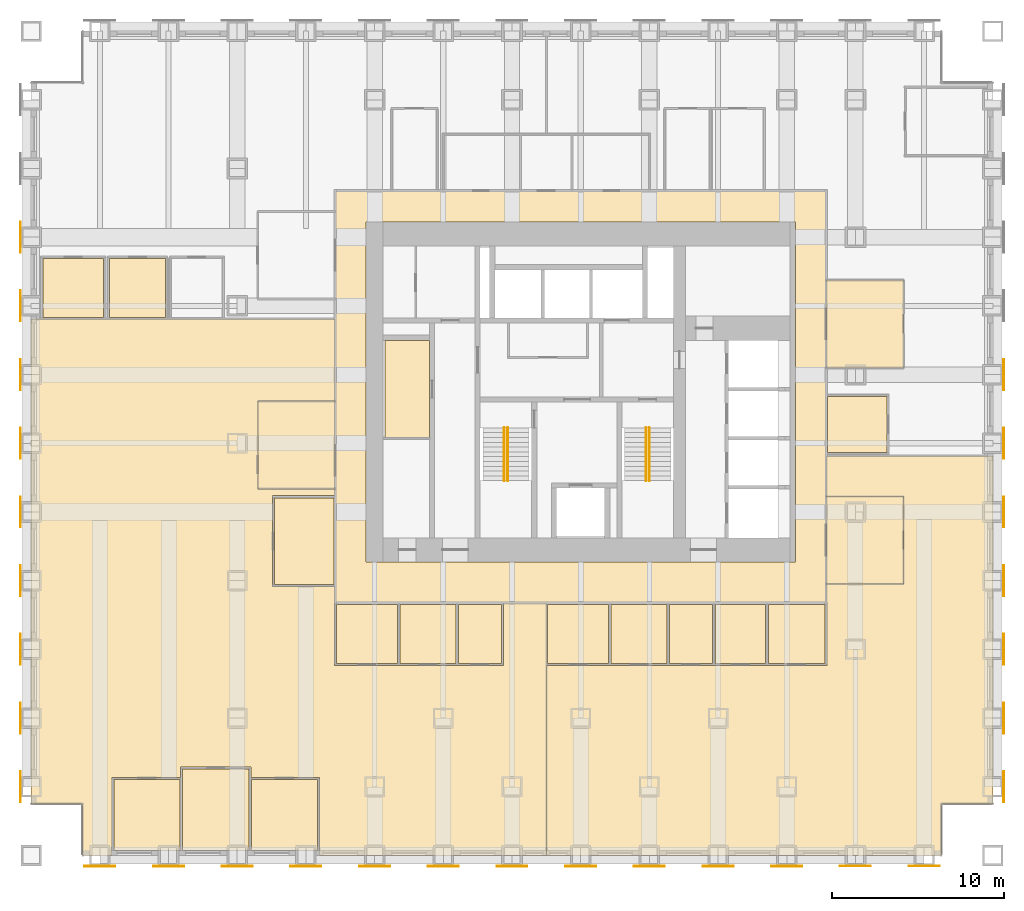
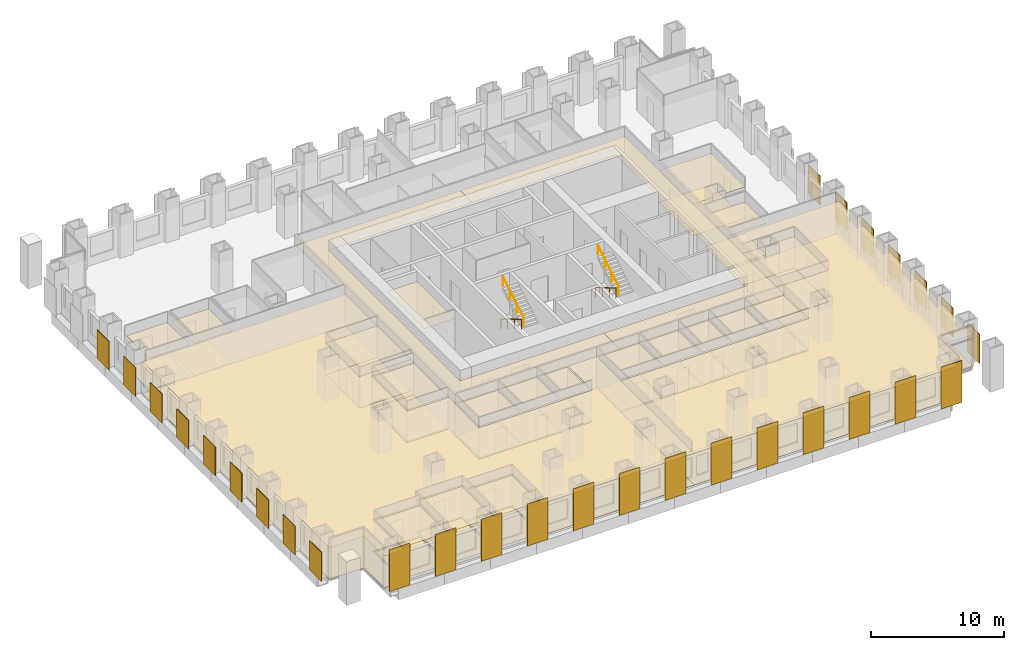
# One storey, part 14 of 15: 43 coverings, 29 shading devices, 4 railings.
"""IFC4 building model written with IfcOpenShell, lengths in metres."""

from ifc_helpers import new_model, si_unit, direction, frame, origin, origin_2d, place, context, subcontext, project, spatial, polyline, rectangle, circle, outline, extrude, material, layer, layer_set, type_object, element, save


model = new_model("IFC4")

# Units and contexts
model_context = context("Model", 3, precision=1e-05, world=origin(), true_north=direction((0.0, 1.0)))
body_context = subcontext(model_context, "Body", "Model", "MODEL_VIEW")
ifc_project = project(units=[si_unit("LENGTHUNIT", "METRE"), si_unit("AREAUNIT", "SQUARE_METRE"), si_unit("VOLUMEUNIT", "CUBIC_METRE"), si_unit("PLANEANGLEUNIT", "RADIAN"), si_unit("MASSUNIT", "GRAM", prefix="KILO")], contexts=[model_context])

# Site, building, storey
site_placement = place(None, origin())
site = spatial("IfcSite", under=ifc_project, at=site_placement, CompositionType="ELEMENT")
building_placement = place(site_placement, origin())
building = spatial("IfcBuilding", under=site, at=building_placement, Name="Rimbunsela Tower", CompositionType="ELEMENT")
storey_placement = place(building_placement, frame((0.0, 0.0, 67.0)))
storey = spatial("IfcBuildingStorey", under=building, at=storey_placement, Name="L16", CompositionType="ELEMENT", Elevation=67.0)

# Coverings
ifc_material_1 = material(Name="Nylon carpet tile", Category="textile")
ifc_layer_1 = layer(ifc_material_1, 0.010009765625)
ifc_layer_set_1 = layer_set([ifc_layer_1], Name="Carpet tile 10")
covering_type_1 = type_object("IfcCoveringType", Name="Carpet tile 10", PredefinedType="FLOORING", material=ifc_layer_set_1)
covering_1_placement = place(storey_placement, origin())
element("IfcCovering", 1, at=covering_1_placement, inside=storey, type_object=covering_type_1, Name="Floor finish Open office", PredefinedType="FLOORING", context=body_context, shape_type="SweptSolid", body=[
    extrude(outline(polyline([(19.449951171875, 11.050048828125), (22.75, 11.050048828125), (22.85009765625, 11.050048828125), (25.5, 11.050048828125), (25.5, 14.699951171875), (27.9990234375, 14.699951171875), (27.9990234375, 0.0), (15.699951171875, 0.0), (14.800048828125, 0.0), (14.800048828125, 4.550048828125), (10.800048828125, 4.550048828125), (10.800048828125, 5.14990234375), (6.699951171875, 5.14990234375), (6.699951171875, 4.550048828125), (2.699951171875, 4.550048828125), (2.699951171875, 0.0), (1.0, 0.0), (1.0, 3.0), (-2.0, 3.0), (-2.0, 31.2490234375), (15.699951171875, 31.2490234375), (15.699951171875, 26.449951171875), (11.199951171875, 26.449951171875), (11.199951171875, 21.35009765625), (15.699951171875, 21.35009765625), (15.699951171875, 20.949951171875), (12.050048828125, 20.949951171875), (12.050048828125, 15.64990234375), (15.699951171875, 15.64990234375), (15.699951171875, 14.75), (15.64990234375, 14.75), (15.64990234375, 11.050048828125), (15.699951171875, 11.050048828125), (19.35009765625, 11.050048828125), (19.449951171875, 11.050048828125)])), origin(), (0.0, 0.0, 1.0), 0.010009765625),
])
covering_2_placement = place(storey_placement, origin())
element("IfcCovering", 2, at=covering_2_placement, inside=storey, type_object=covering_type_1, Name="Floor finish Open office", PredefinedType="FLOORING", context=body_context, shape_type="SweptSolid", body=[
    extrude(outline(polyline([(28.0009765625, 11.050048828125), (31.65087890625, 11.050048828125), (31.7509765625, 11.050048828125), (35.051025390625, 11.050048828125), (35.15087890625, 11.050048828125), (37.700927734375, 11.050048828125), (37.801025390625, 11.050048828125), (40.801025390625, 11.050048828125), (40.90087890625, 11.050048828125), (44.300048828125, 11.050048828125), (44.35009765625, 11.050048828125), (44.35009765625, 14.75), (44.300048828125, 14.75), (44.300048828125, 15.800048828125), (48.800048828125, 15.800048828125), (48.800048828125, 20.89990234375), (44.300048828125, 20.89990234375), (44.300048828125, 23.2490234375), (54.0, 23.2490234375), (54.0, 3.0), (51.0, 3.0), (51.0, 0.0), (44.300048828125, 0.0), (28.0009765625, 0.0), (28.0009765625, 11.050048828125)])), origin(), (0.0, 0.0, 1.0), 0.010009765625),
])
covering_3_placement = place(storey_placement, origin())
element("IfcCovering", 3, at=covering_3_placement, inside=storey, type_object=covering_type_1, Name="Floor finish Reception", PredefinedType="FLOORING", context=body_context, shape_type="SweptSolid", body=[
    extrude(outline(polyline([(15.699951171875, 21.35009765625), (15.699951171875, 26.449951171875), (11.199951171875, 26.449951171875), (11.199951171875, 21.35009765625), (15.699951171875, 21.35009765625)])), origin(), (0.0, 0.0, 1.0), 0.010009765625),
])
covering_4_placement = place(storey_placement, origin())
element("IfcCovering", 4, at=covering_4_placement, inside=storey, type_object=covering_type_1, Name="Floor finish Reception", PredefinedType="FLOORING", context=body_context, shape_type="SweptSolid", body=[
    extrude(outline(polyline([(48.800048828125, 15.800048828125), (48.800048828125, 20.89990234375), (44.300048828125, 20.89990234375), (44.300048828125, 15.800048828125), (48.800048828125, 15.800048828125)])), origin(), (0.0, 0.0, 1.0), 0.010009765625),
])
covering_5_placement = place(storey_placement, origin())
element("IfcCovering", 5, at=covering_5_placement, inside=storey, type_object=covering_type_1, Name="Floor finish Reception", PredefinedType="FLOORING", context=body_context, shape_type="SweptSolid", body=[
    extrude(outline(polyline([(48.800048828125, 28.39990234375), (48.800048828125, 33.5), (44.300048828125, 33.5), (44.300048828125, 28.39990234375), (48.800048828125, 28.39990234375)])), origin(), (0.0, 0.0, 1.0), 0.010009765625),
])
covering_6_placement = place(storey_placement, origin())
element("IfcCovering", 6, at=covering_6_placement, inside=storey, type_object=covering_type_1, Name="Floor finish Executive office", PredefinedType="FLOORING", context=body_context, shape_type="SweptSolid", body=[
    extrude(outline(polyline([(6.675048828125, 0.300048828125), (6.675048828125, 4.425048828125), (2.824951171875, 4.425048828125), (2.824951171875, 0.300048828125), (6.675048828125, 0.300048828125)])), origin(), (0.0, 0.0, 1.0), 0.010009765625),
])
covering_7_placement = place(storey_placement, origin())
element("IfcCovering", 7, at=covering_7_placement, inside=storey, type_object=covering_type_1, Name="Floor finish Meeting room", PredefinedType="FLOORING", context=body_context, shape_type="SweptSolid", body=[
    extrude(outline(polyline([(10.675048828125, 0.300048828125), (10.675048828125, 5.02490234375), (6.824951171875, 5.02490234375), (6.824951171875, 0.300048828125), (10.675048828125, 0.300048828125)])), origin(), (0.0, 0.0, 1.0), 0.010009765625),
])
covering_8_placement = place(storey_placement, origin())
element("IfcCovering", 8, at=covering_8_placement, inside=storey, type_object=covering_type_1, Name="Floor finish Executive office", PredefinedType="FLOORING", context=body_context, shape_type="SweptSolid", body=[
    extrude(outline(polyline([(14.675048828125, 0.300048828125), (14.675048828125, 4.425048828125), (10.824951171875, 4.425048828125), (10.824951171875, 0.300048828125), (14.675048828125, 0.300048828125)])), origin(), (0.0, 0.0, 1.0), 0.010009765625),
])
covering_9_placement = place(storey_placement, origin())
element("IfcCovering", 9, at=covering_9_placement, inside=storey, type_object=covering_type_1, Name="Floor finish Meeting room", PredefinedType="FLOORING", context=body_context, shape_type="SweptSolid", body=[
    extrude(outline(polyline([(19.324951171875, 11.175048828125), (19.324951171875, 14.625), (15.77490234375, 14.625), (15.77490234375, 11.175048828125), (19.324951171875, 11.175048828125)])), origin(), (0.0, 0.0, 1.0), 0.010009765625),
])
covering_10_placement = place(storey_placement, origin())
element("IfcCovering", 10, at=covering_10_placement, inside=storey, type_object=covering_type_1, Name="Floor finish Pantry", PredefinedType="FLOORING", context=body_context, shape_type="SweptSolid", body=[
    extrude(outline(polyline([(22.72509765625, 11.175048828125), (22.72509765625, 14.625), (19.47509765625, 14.625), (19.47509765625, 11.175048828125), (22.72509765625, 11.175048828125)])), origin(), (0.0, 0.0, 1.0), 0.010009765625),
])
covering_11_placement = place(storey_placement, origin())
element("IfcCovering", 11, at=covering_11_placement, inside=storey, type_object=covering_type_1, Name="Floor finish Print and copy room", PredefinedType="FLOORING", context=body_context, shape_type="SweptSolid", body=[
    extrude(outline(polyline([(25.375, 11.175048828125), (25.375, 14.625), (22.875, 14.625), (22.875, 11.175048828125), (25.375, 11.175048828125)])), origin(), (0.0, 0.0, 1.0), 0.010009765625),
])
covering_12_placement = place(storey_placement, origin())
element("IfcCovering", 12, at=covering_12_placement, inside=storey, type_object=covering_type_1, Name="Floor finish Office", PredefinedType="FLOORING", context=body_context, shape_type="SweptSolid", body=[
    extrude(outline(polyline([(15.625, 15.77490234375), (15.625, 20.824951171875), (12.175048828125, 20.824951171875), (12.175048828125, 15.77490234375), (15.625, 15.77490234375)])), origin(), (0.0, 0.0, 1.0), 0.010009765625),
])
covering_13_placement = place(storey_placement, origin())
element("IfcCovering", 13, at=covering_13_placement, inside=storey, type_object=covering_type_1, Name="Floor finish Meeting room", PredefinedType="FLOORING", context=body_context, shape_type="SweptSolid", body=[
    extrude(outline(polyline([(31.6259765625, 11.175048828125), (31.6259765625, 14.625), (28.075927734375, 14.625), (28.075927734375, 11.175048828125), (31.6259765625, 11.175048828125)])), origin(), (0.0, 0.0, 1.0), 0.010009765625),
])
covering_14_placement = place(storey_placement, origin())
element("IfcCovering", 14, at=covering_14_placement, inside=storey, type_object=covering_type_1, Name="Floor finish Pantry", PredefinedType="FLOORING", context=body_context, shape_type="SweptSolid", body=[
    extrude(outline(polyline([(35.02587890625, 11.175048828125), (35.02587890625, 14.625), (31.77587890625, 14.625), (31.77587890625, 11.175048828125), (35.02587890625, 11.175048828125)])), origin(), (0.0, 0.0, 1.0), 0.010009765625),
])
covering_15_placement = place(storey_placement, origin())
element("IfcCovering", 15, at=covering_15_placement, inside=storey, type_object=covering_type_1, Name="Floor finish Print and copy room", PredefinedType="FLOORING", context=body_context, shape_type="SweptSolid", body=[
    extrude(outline(polyline([(37.676025390625, 11.175048828125), (37.676025390625, 14.625), (35.176025390625, 14.625), (35.176025390625, 11.175048828125), (37.676025390625, 11.175048828125)])), origin(), (0.0, 0.0, 1.0), 0.010009765625),
])
covering_16_placement = place(storey_placement, origin())
element("IfcCovering", 16, at=covering_16_placement, inside=storey, type_object=covering_type_1, Name="Floor finish Office", PredefinedType="FLOORING", context=body_context, shape_type="SweptSolid", body=[
    extrude(outline(polyline([(40.77587890625, 11.175048828125), (40.77587890625, 14.625), (37.825927734375, 14.625), (37.825927734375, 11.175048828125), (40.77587890625, 11.175048828125)])), origin(), (0.0, 0.0, 1.0), 0.010009765625),
])
covering_17_placement = place(storey_placement, origin())
element("IfcCovering", 17, at=covering_17_placement, inside=storey, type_object=covering_type_1, Name="Floor finish Focus room", PredefinedType="FLOORING", context=body_context, shape_type="SweptSolid", body=[
    extrude(outline(polyline([(44.22509765625, 11.175048828125), (44.22509765625, 14.625), (40.926025390625, 14.625), (40.926025390625, 11.175048828125), (44.22509765625, 11.175048828125)])), origin(), (0.0, 0.0, 1.0), 0.010009765625),
])
covering_18_placement = place(storey_placement, origin())
element("IfcCovering", 18, at=covering_18_placement, inside=storey, type_object=covering_type_1, Name="Floor finish Meeting room", PredefinedType="FLOORING", context=body_context, shape_type="SweptSolid", body=[
    extrude(outline(polyline([(2.22509765625, 31.324951171875), (2.22509765625, 34.77490234375), (-1.324951171875, 34.77490234375), (-1.324951171875, 31.324951171875), (2.22509765625, 31.324951171875)])), origin(), (0.0, 0.0, 1.0), 0.010009765625),
])
covering_19_placement = place(storey_placement, origin())
element("IfcCovering", 19, at=covering_19_placement, inside=storey, type_object=covering_type_1, Name="Floor finish Pantry", PredefinedType="FLOORING", context=body_context, shape_type="SweptSolid", body=[
    extrude(outline(polyline([(5.824951171875, 31.324951171875), (5.824951171875, 34.77490234375), (2.574951171875, 34.77490234375), (2.574951171875, 31.324951171875), (5.824951171875, 31.324951171875)])), origin(), (0.0, 0.0, 1.0), 0.010009765625),
])
covering_20_placement = place(storey_placement, origin())
element("IfcCovering", 20, at=covering_20_placement, inside=storey, type_object=covering_type_1, Name="Floor finish Pantry", PredefinedType="FLOORING", context=body_context, shape_type="SweptSolid", body=[
    extrude(outline(polyline([(47.824951171875, 23.47509765625), (47.824951171875, 26.72509765625), (44.375, 26.72509765625), (44.375, 23.47509765625), (47.824951171875, 23.47509765625)])), origin(), (0.0, 0.0, 1.0), 0.010009765625),
])
ifc_material_2 = material(Name="Mineral fibre ceiling tile", Category="gypsum")
ifc_layer_2 = layer(ifc_material_2, 0.02001953125)
ifc_layer_set_2 = layer_set([ifc_layer_2], Name="Ceiling 600 grid")
covering_type_2 = type_object("IfcCoveringType", Name="Ceiling 600 grid", PredefinedType="CEILING", material=ifc_layer_set_2)
covering_21_placement = place(storey_placement, frame((0.0, 0.0, 2.89990234375)))
element("IfcCovering", 21, at=covering_21_placement, inside=storey, type_object=covering_type_2, Name="Ceiling IT room", PredefinedType="CEILING", context=body_context, shape_type="SweptSolid", body=[
    extrude(outline(polyline([(21.199951171875, 24.35009765625), (21.199951171875, 30.0), (18.60009765625, 30.0), (18.60009765625, 24.35009765625), (21.199951171875, 24.35009765625)])), origin(), (0.0, 0.0, 1.0), 0.02001953125),
])
covering_22_placement = place(storey_placement, frame((0.0, 0.0, 2.89990234375)))
element("IfcCovering", 22, at=covering_22_placement, inside=storey, type_object=covering_type_2, Name="Ceiling Ring corridor", PredefinedType="CEILING", context=body_context, shape_type="SweptSolid", body=[
    extrude(outline(polyline([(15.699951171875, 38.699951171875), (30.0, 38.699951171875), (30.0, 36.89990234375), (17.5, 36.89990234375), (17.5, 17.10009765625), (30.0, 17.10009765625), (30.0, 14.699951171875), (15.699951171875, 14.699951171875), (15.699951171875, 38.699951171875)])), origin(), (0.0, 0.0, 1.0), 0.02001953125),
])
covering_23_placement = place(storey_placement, frame((0.0, 0.0, 2.89990234375)))
element("IfcCovering", 23, at=covering_23_placement, inside=storey, type_object=covering_type_2, Name="Ceiling Ring corridor", PredefinedType="CEILING", context=body_context, shape_type="SweptSolid", body=[
    extrude(outline(polyline([(44.300048828125, 38.699951171875), (44.300048828125, 14.699951171875), (30.0, 14.699951171875), (30.0, 17.10009765625), (42.5, 17.10009765625), (42.5, 36.89990234375), (30.0, 36.89990234375), (30.0, 38.699951171875), (44.300048828125, 38.699951171875)])), origin(), (0.0, 0.0, 1.0), 0.02001953125),
])
covering_24_placement = place(storey_placement, frame((0.0, 0.0, 2.89990234375)))
element("IfcCovering", 24, at=covering_24_placement, inside=storey, type_object=covering_type_2, Name="Ceiling Open office", PredefinedType="CEILING", context=body_context, shape_type="SweptSolid", body=[
    extrude(outline(polyline([(19.449951171875, 11.050048828125), (22.75, 11.050048828125), (22.85009765625, 11.050048828125), (25.5, 11.050048828125), (25.5, 14.699951171875), (27.9990234375, 14.699951171875), (27.9990234375, 0.0), (15.699951171875, 0.0), (14.800048828125, 0.0), (14.800048828125, 4.550048828125), (10.800048828125, 4.550048828125), (10.800048828125, 5.14990234375), (6.699951171875, 5.14990234375), (6.699951171875, 4.550048828125), (2.699951171875, 4.550048828125), (2.699951171875, 0.0), (1.0, 0.0), (1.0, 3.0), (-2.0, 3.0), (-2.0, 31.2490234375), (15.699951171875, 31.2490234375), (15.699951171875, 26.449951171875), (11.199951171875, 26.449951171875), (11.199951171875, 21.35009765625), (15.699951171875, 21.35009765625), (15.699951171875, 20.949951171875), (12.050048828125, 20.949951171875), (12.050048828125, 15.64990234375), (15.699951171875, 15.64990234375), (15.699951171875, 14.75), (15.64990234375, 14.75), (15.64990234375, 11.050048828125), (15.699951171875, 11.050048828125), (19.35009765625, 11.050048828125), (19.449951171875, 11.050048828125)])), origin(), (0.0, 0.0, 1.0), 0.02001953125),
])
covering_25_placement = place(storey_placement, frame((0.0, 0.0, 2.89990234375)))
element("IfcCovering", 25, at=covering_25_placement, inside=storey, type_object=covering_type_2, Name="Ceiling Open office", PredefinedType="CEILING", context=body_context, shape_type="SweptSolid", body=[
    extrude(outline(polyline([(28.0009765625, 11.050048828125), (31.65087890625, 11.050048828125), (31.7509765625, 11.050048828125), (35.051025390625, 11.050048828125), (35.15087890625, 11.050048828125), (37.700927734375, 11.050048828125), (37.801025390625, 11.050048828125), (40.801025390625, 11.050048828125), (40.90087890625, 11.050048828125), (44.300048828125, 11.050048828125), (44.35009765625, 11.050048828125), (44.35009765625, 14.75), (44.300048828125, 14.75), (44.300048828125, 15.800048828125), (48.800048828125, 15.800048828125), (48.800048828125, 20.89990234375), (44.300048828125, 20.89990234375), (44.300048828125, 23.2490234375), (54.0, 23.2490234375), (54.0, 3.0), (51.0, 3.0), (51.0, 0.0), (44.300048828125, 0.0), (28.0009765625, 0.0), (28.0009765625, 11.050048828125)])), origin(), (0.0, 0.0, 1.0), 0.02001953125),
])
covering_26_placement = place(storey_placement, frame((0.0, 0.0, 2.89990234375)))
element("IfcCovering", 26, at=covering_26_placement, inside=storey, type_object=covering_type_2, Name="Ceiling Reception", PredefinedType="CEILING", context=body_context, shape_type="SweptSolid", body=[
    extrude(outline(polyline([(15.699951171875, 21.35009765625), (15.699951171875, 26.449951171875), (11.199951171875, 26.449951171875), (11.199951171875, 21.35009765625), (15.699951171875, 21.35009765625)])), origin(), (0.0, 0.0, 1.0), 0.02001953125),
])
covering_27_placement = place(storey_placement, frame((0.0, 0.0, 2.89990234375)))
element("IfcCovering", 27, at=covering_27_placement, inside=storey, type_object=covering_type_2, Name="Ceiling Reception", PredefinedType="CEILING", context=body_context, shape_type="SweptSolid", body=[
    extrude(outline(polyline([(48.800048828125, 15.800048828125), (48.800048828125, 20.89990234375), (44.300048828125, 20.89990234375), (44.300048828125, 15.800048828125), (48.800048828125, 15.800048828125)])), origin(), (0.0, 0.0, 1.0), 0.02001953125),
])
covering_28_placement = place(storey_placement, frame((0.0, 0.0, 2.89990234375)))
element("IfcCovering", 28, at=covering_28_placement, inside=storey, type_object=covering_type_2, Name="Ceiling Reception", PredefinedType="CEILING", context=body_context, shape_type="SweptSolid", body=[
    extrude(outline(polyline([(48.800048828125, 28.39990234375), (48.800048828125, 33.5), (44.300048828125, 33.5), (44.300048828125, 28.39990234375), (48.800048828125, 28.39990234375)])), origin(), (0.0, 0.0, 1.0), 0.02001953125),
])
covering_29_placement = place(storey_placement, frame((0.0, 0.0, 2.89990234375)))
element("IfcCovering", 29, at=covering_29_placement, inside=storey, type_object=covering_type_2, Name="Ceiling Executive office", PredefinedType="CEILING", context=body_context, shape_type="SweptSolid", body=[
    extrude(outline(polyline([(6.675048828125, 0.300048828125), (6.675048828125, 4.425048828125), (2.824951171875, 4.425048828125), (2.824951171875, 0.300048828125), (6.675048828125, 0.300048828125)])), origin(), (0.0, 0.0, 1.0), 0.02001953125),
])
covering_30_placement = place(storey_placement, frame((0.0, 0.0, 2.89990234375)))
element("IfcCovering", 30, at=covering_30_placement, inside=storey, type_object=covering_type_2, Name="Ceiling Meeting room", PredefinedType="CEILING", context=body_context, shape_type="SweptSolid", body=[
    extrude(outline(polyline([(10.675048828125, 0.300048828125), (10.675048828125, 5.02490234375), (6.824951171875, 5.02490234375), (6.824951171875, 0.300048828125), (10.675048828125, 0.300048828125)])), origin(), (0.0, 0.0, 1.0), 0.02001953125),
])
covering_31_placement = place(storey_placement, frame((0.0, 0.0, 2.89990234375)))
element("IfcCovering", 31, at=covering_31_placement, inside=storey, type_object=covering_type_2, Name="Ceiling Executive office", PredefinedType="CEILING", context=body_context, shape_type="SweptSolid", body=[
    extrude(outline(polyline([(14.675048828125, 0.300048828125), (14.675048828125, 4.425048828125), (10.824951171875, 4.425048828125), (10.824951171875, 0.300048828125), (14.675048828125, 0.300048828125)])), origin(), (0.0, 0.0, 1.0), 0.02001953125),
])
covering_32_placement = place(storey_placement, frame((0.0, 0.0, 2.89990234375)))
element("IfcCovering", 32, at=covering_32_placement, inside=storey, type_object=covering_type_2, Name="Ceiling Meeting room", PredefinedType="CEILING", context=body_context, shape_type="SweptSolid", body=[
    extrude(outline(polyline([(19.324951171875, 11.175048828125), (19.324951171875, 14.625), (15.77490234375, 14.625), (15.77490234375, 11.175048828125), (19.324951171875, 11.175048828125)])), origin(), (0.0, 0.0, 1.0), 0.02001953125),
])
covering_33_placement = place(storey_placement, frame((0.0, 0.0, 2.89990234375)))
element("IfcCovering", 33, at=covering_33_placement, inside=storey, type_object=covering_type_2, Name="Ceiling Pantry", PredefinedType="CEILING", context=body_context, shape_type="SweptSolid", body=[
    extrude(outline(polyline([(22.72509765625, 11.175048828125), (22.72509765625, 14.625), (19.47509765625, 14.625), (19.47509765625, 11.175048828125), (22.72509765625, 11.175048828125)])), origin(), (0.0, 0.0, 1.0), 0.02001953125),
])
covering_34_placement = place(storey_placement, frame((0.0, 0.0, 2.89990234375)))
element("IfcCovering", 34, at=covering_34_placement, inside=storey, type_object=covering_type_2, Name="Ceiling Print and copy room", PredefinedType="CEILING", context=body_context, shape_type="SweptSolid", body=[
    extrude(outline(polyline([(25.375, 11.175048828125), (25.375, 14.625), (22.875, 14.625), (22.875, 11.175048828125), (25.375, 11.175048828125)])), origin(), (0.0, 0.0, 1.0), 0.02001953125),
])
covering_35_placement = place(storey_placement, frame((0.0, 0.0, 2.89990234375)))
element("IfcCovering", 35, at=covering_35_placement, inside=storey, type_object=covering_type_2, Name="Ceiling Office", PredefinedType="CEILING", context=body_context, shape_type="SweptSolid", body=[
    extrude(outline(polyline([(15.625, 15.77490234375), (15.625, 20.824951171875), (12.175048828125, 20.824951171875), (12.175048828125, 15.77490234375), (15.625, 15.77490234375)])), origin(), (0.0, 0.0, 1.0), 0.02001953125),
])
covering_36_placement = place(storey_placement, frame((0.0, 0.0, 2.89990234375)))
element("IfcCovering", 36, at=covering_36_placement, inside=storey, type_object=covering_type_2, Name="Ceiling Meeting room", PredefinedType="CEILING", context=body_context, shape_type="SweptSolid", body=[
    extrude(outline(polyline([(31.6259765625, 11.175048828125), (31.6259765625, 14.625), (28.075927734375, 14.625), (28.075927734375, 11.175048828125), (31.6259765625, 11.175048828125)])), origin(), (0.0, 0.0, 1.0), 0.02001953125),
])
covering_37_placement = place(storey_placement, frame((0.0, 0.0, 2.89990234375)))
element("IfcCovering", 37, at=covering_37_placement, inside=storey, type_object=covering_type_2, Name="Ceiling Pantry", PredefinedType="CEILING", context=body_context, shape_type="SweptSolid", body=[
    extrude(outline(polyline([(35.02587890625, 11.175048828125), (35.02587890625, 14.625), (31.77587890625, 14.625), (31.77587890625, 11.175048828125), (35.02587890625, 11.175048828125)])), origin(), (0.0, 0.0, 1.0), 0.02001953125),
])
covering_38_placement = place(storey_placement, frame((0.0, 0.0, 2.89990234375)))
element("IfcCovering", 38, at=covering_38_placement, inside=storey, type_object=covering_type_2, Name="Ceiling Print and copy room", PredefinedType="CEILING", context=body_context, shape_type="SweptSolid", body=[
    extrude(outline(polyline([(37.676025390625, 11.175048828125), (37.676025390625, 14.625), (35.176025390625, 14.625), (35.176025390625, 11.175048828125), (37.676025390625, 11.175048828125)])), origin(), (0.0, 0.0, 1.0), 0.02001953125),
])
covering_39_placement = place(storey_placement, frame((0.0, 0.0, 2.89990234375)))
element("IfcCovering", 39, at=covering_39_placement, inside=storey, type_object=covering_type_2, Name="Ceiling Office", PredefinedType="CEILING", context=body_context, shape_type="SweptSolid", body=[
    extrude(outline(polyline([(40.77587890625, 11.175048828125), (40.77587890625, 14.625), (37.825927734375, 14.625), (37.825927734375, 11.175048828125), (40.77587890625, 11.175048828125)])), origin(), (0.0, 0.0, 1.0), 0.02001953125),
])
covering_40_placement = place(storey_placement, frame((0.0, 0.0, 2.89990234375)))
element("IfcCovering", 40, at=covering_40_placement, inside=storey, type_object=covering_type_2, Name="Ceiling Focus room", PredefinedType="CEILING", context=body_context, shape_type="SweptSolid", body=[
    extrude(outline(polyline([(44.22509765625, 11.175048828125), (44.22509765625, 14.625), (40.926025390625, 14.625), (40.926025390625, 11.175048828125), (44.22509765625, 11.175048828125)])), origin(), (0.0, 0.0, 1.0), 0.02001953125),
])
covering_41_placement = place(storey_placement, frame((0.0, 0.0, 2.89990234375)))
element("IfcCovering", 41, at=covering_41_placement, inside=storey, type_object=covering_type_2, Name="Ceiling Meeting room", PredefinedType="CEILING", context=body_context, shape_type="SweptSolid", body=[
    extrude(outline(polyline([(2.22509765625, 31.324951171875), (2.22509765625, 34.77490234375), (-1.324951171875, 34.77490234375), (-1.324951171875, 31.324951171875), (2.22509765625, 31.324951171875)])), origin(), (0.0, 0.0, 1.0), 0.02001953125),
])
covering_42_placement = place(storey_placement, frame((0.0, 0.0, 2.89990234375)))
element("IfcCovering", 42, at=covering_42_placement, inside=storey, type_object=covering_type_2, Name="Ceiling Pantry", PredefinedType="CEILING", context=body_context, shape_type="SweptSolid", body=[
    extrude(outline(polyline([(5.824951171875, 31.324951171875), (5.824951171875, 34.77490234375), (2.574951171875, 34.77490234375), (2.574951171875, 31.324951171875), (5.824951171875, 31.324951171875)])), origin(), (0.0, 0.0, 1.0), 0.02001953125),
])
covering_43_placement = place(storey_placement, frame((0.0, 0.0, 2.89990234375)))
element("IfcCovering", 43, at=covering_43_placement, inside=storey, type_object=covering_type_2, Name="Ceiling Pantry", PredefinedType="CEILING", context=body_context, shape_type="SweptSolid", body=[
    extrude(outline(polyline([(47.824951171875, 23.47509765625), (47.824951171875, 26.72509765625), (44.375, 26.72509765625), (44.375, 23.47509765625), (47.824951171875, 23.47509765625)])), origin(), (0.0, 0.0, 1.0), 0.02001953125),
])

# Shading devices
ifc_material_3 = material(Name="Perforated aluminium, 35 % open area", Category="aluminium")
ifc_layer_3 = layer(ifc_material_3, 0.050048828125)
ifc_layer_set_3 = layer_set([ifc_layer_3], Name="Solar screen panel 1800")
shading_device_type = type_object("IfcShadingDeviceType", Name="Solar screen panel 1800", PredefinedType="USERDEFINED", material=ifc_layer_set_3)
for number, where, z_axis, x_axis, name in (
    (44, (2.0, -0.625, 0.0), (0.0, 0.0, 1.0), (1.0, 0.0, 0.0), "Solar screen S L16"),
    (45, (6.0, -0.625, 0.0), (0.0, 0.0, 1.0), (1.0, 0.0, 0.0), "Solar screen S L16"),
    (46, (10.0, -0.625, 0.0), (0.0, 0.0, 1.0), (1.0, 0.0, 0.0), "Solar screen S L16"),
    (47, (14.0, -0.625, 0.0), (0.0, 0.0, 1.0), (1.0, 0.0, 0.0), "Solar screen S L16"),
    (48, (18.0, -0.625, 0.0), (0.0, 0.0, 1.0), (1.0, 0.0, 0.0), "Solar screen S L16"),
    (49, (22.0, -0.625, 0.0), (0.0, 0.0, 1.0), (1.0, 0.0, 0.0), "Solar screen S L16"),
    (50, (26.0, -0.625, 0.0), (0.0, 0.0, 1.0), (1.0, 0.0, 0.0), "Solar screen S L16"),
    (51, (30.0, -0.625, 0.0), (0.0, 0.0, 1.0), (1.0, 0.0, 0.0), "Solar screen S L16"),
    (52, (34.0, -0.625, 0.0), (0.0, 0.0, 1.0), (1.0, 0.0, 0.0), "Solar screen S L16"),
    (53, (38.0, -0.625, 0.0), (0.0, 0.0, 1.0), (1.0, 0.0, 0.0), "Solar screen S L16"),
    (54, (42.0, -0.625, 0.0), (0.0, 0.0, 1.0), (1.0, 0.0, 0.0), "Solar screen S L16"),
    (55, (46.0, -0.625, 0.0), (0.0, 0.0, 1.0), (1.0, 0.0, 0.0), "Solar screen S L16"),
    (56, (50.0, -0.625, 0.0), (0.0, 0.0, 1.0), (1.0, 0.0, 0.0), "Solar screen S L16"),
):
    element("IfcShadingDevice", number, at=place(storey_placement, frame(where, z_axis=z_axis, x_axis=x_axis)), inside=storey, type_object=shading_device_type, Name=name, ObjectType="SCREEN", PredefinedType="USERDEFINED", context=body_context, shape_type="SweptSolid", body=[
        extrude(rectangle(XDim=1.800048828125, YDim=0.050048828125, at=origin_2d()), origin(), (0.0, 0.0, 1.0), 3.85009765625),
    ])
for number, where, z_axis, x_axis, name in (
    (57, (54.625, 4.0, 0.0), (0.0, 0.0, 1.0), (0.0, 1.0, 0.0), "Solar screen E L16"),
    (58, (54.625, 8.0, 0.0), (0.0, 0.0, 1.0), (0.0, 1.0, 0.0), "Solar screen E L16"),
    (59, (54.625, 12.0, 0.0), (0.0, 0.0, 1.0), (0.0, 1.0, 0.0), "Solar screen E L16"),
    (60, (54.625, 16.0, 0.0), (0.0, 0.0, 1.0), (0.0, 1.0, 0.0), "Solar screen E L16"),
    (61, (54.625, 20.0, 0.0), (0.0, 0.0, 1.0), (0.0, 1.0, 0.0), "Solar screen E L16"),
    (62, (54.625, 24.0, 0.0), (0.0, 0.0, 1.0), (0.0, 1.0, 0.0), "Solar screen E L16"),
    (63, (54.625, 28.0, 0.0), (0.0, 0.0, 1.0), (0.0, 1.0, 0.0), "Solar screen E L16"),
    (64, (-2.625, 4.0, 0.0), (0.0, 0.0, 1.0), (0.0, 1.0, 0.0), "Solar screen W L16"),
    (65, (-2.625, 8.0, 0.0), (0.0, 0.0, 1.0), (0.0, 1.0, 0.0), "Solar screen W L16"),
    (66, (-2.625, 12.0, 0.0), (0.0, 0.0, 1.0), (0.0, 1.0, 0.0), "Solar screen W L16"),
    (67, (-2.625, 16.0, 0.0), (0.0, 0.0, 1.0), (0.0, 1.0, 0.0), "Solar screen W L16"),
    (68, (-2.625, 20.0, 0.0), (0.0, 0.0, 1.0), (0.0, 1.0, 0.0), "Solar screen W L16"),
    (69, (-2.625, 24.0, 0.0), (0.0, 0.0, 1.0), (0.0, 1.0, 0.0), "Solar screen W L16"),
    (70, (-2.625, 28.0, 0.0), (0.0, 0.0, 1.0), (0.0, 1.0, 0.0), "Solar screen W L16"),
    (71, (-2.625, 32.0, 0.0), (0.0, 0.0, 1.0), (0.0, 1.0, 0.0), "Solar screen W L16"),
    (72, (-2.625, 36.0, 0.0), (0.0, 0.0, 1.0), (0.0, 1.0, 0.0), "Solar screen W L16"),
):
    element("IfcShadingDevice", number, at=place(storey_placement, frame(where, z_axis=z_axis, x_axis=x_axis)), inside=storey, type_object=shading_device_type, Name=name, ObjectType="SCREEN", PredefinedType="USERDEFINED", context=body_context, shape_type="SweptSolid", body=[
        extrude(rectangle(XDim=1.800048828125, YDim=0.050048828125, at=origin_2d()), origin(), (0.0, 0.0, 1.0), 2.64990234375),
    ])

# Railings
ifc_material_4 = material(Name="Stainless steel tube", Category="steel")
railing_type = type_object("IfcRailingType", Name="Stair handrail 900", PredefinedType="HANDRAIL", material=ifc_material_4)
railing_1_placement = place(storey_placement, frame((25.550048828125, 24.89990234375, 0.166748046875)))
element("IfcRailing", 73, at=railing_1_placement, inside=storey, type_object=railing_type, Name="Handrail ST-A flight 1", PredefinedType="HANDRAIL", context=body_context, shape_type="SweptSolid", body=[
    extrude(circle(Radius=0.02392578125, at=origin_2d()), frame((0.0, 0.0, 0.8759765625), z_axis=(0.0, -0.859290745958, 0.51148745235), x_axis=(1.0, 0.0, 0.0)), (0.0, 0.0, 1.0), 3.584228515625),
    extrude(circle(Radius=0.02099609375, at=origin_2d()), origin(), (0.0, 0.0, 1.0), 0.851806640625),
    extrude(circle(Radius=0.02099609375, at=origin_2d()), frame((0.0, -1.026611328125, 0.611083984375)), (0.0, 0.0, 1.0), 0.851806640625),
    extrude(circle(Radius=0.02099609375, at=origin_2d()), frame((0.0, -2.05322265625, 1.22216796875)), (0.0, 0.0, 1.0), 0.851806640625),
    extrude(circle(Radius=0.02099609375, at=origin_2d()), frame((0.0, -3.079833984375, 1.833251953125)), (0.0, 0.0, 1.0), 0.851806640625),
])
railing_2_placement = place(storey_placement, frame((25.75, 21.820068359375, 2.166748046875)))
element("IfcRailing", 74, at=railing_2_placement, inside=storey, type_object=railing_type, Name="Handrail ST-A flight 2", PredefinedType="HANDRAIL", context=body_context, shape_type="SweptSolid", body=[
    extrude(circle(Radius=0.02392578125, at=origin_2d()), frame((0.0, 0.0, 0.8759765625), z_axis=(0.0, 0.859290745958, 0.51148745235), x_axis=(-1.0, 0.0, 0.0)), (0.0, 0.0, 1.0), 3.584228515625),
    extrude(circle(Radius=0.02099609375, at=origin_2d()), origin(), (0.0, 0.0, 1.0), 0.851806640625),
    extrude(circle(Radius=0.02099609375, at=origin_2d()), frame((0.0, 1.026611328125, 0.611083984375)), (0.0, 0.0, 1.0), 0.851806640625),
    extrude(circle(Radius=0.02099609375, at=origin_2d()), frame((0.0, 2.05322265625, 1.22216796875)), (0.0, 0.0, 1.0), 0.851806640625),
    extrude(circle(Radius=0.02099609375, at=origin_2d()), frame((0.0, 3.079833984375, 1.833251953125)), (0.0, 0.0, 1.0), 0.851806640625),
])
railing_3_placement = place(storey_placement, frame((33.800048828125, 24.89990234375, 0.166748046875)))
element("IfcRailing", 75, at=railing_3_placement, inside=storey, type_object=railing_type, Name="Handrail ST-B flight 1", PredefinedType="HANDRAIL", context=body_context, shape_type="SweptSolid", body=[
    extrude(circle(Radius=0.02392578125, at=origin_2d()), frame((0.0, 0.0, 0.8759765625), z_axis=(0.0, -0.859290745958, 0.51148745235), x_axis=(1.0, 0.0, 0.0)), (0.0, 0.0, 1.0), 3.584228515625),
    extrude(circle(Radius=0.02099609375, at=origin_2d()), origin(), (0.0, 0.0, 1.0), 0.851806640625),
    extrude(circle(Radius=0.02099609375, at=origin_2d()), frame((0.0, -1.026611328125, 0.611083984375)), (0.0, 0.0, 1.0), 0.851806640625),
    extrude(circle(Radius=0.02099609375, at=origin_2d()), frame((0.0, -2.05322265625, 1.22216796875)), (0.0, 0.0, 1.0), 0.851806640625),
    extrude(circle(Radius=0.02099609375, at=origin_2d()), frame((0.0, -3.079833984375, 1.833251953125)), (0.0, 0.0, 1.0), 0.851806640625),
])
railing_4_placement = place(storey_placement, frame((34.0, 21.820068359375, 2.166748046875)))
element("IfcRailing", 76, at=railing_4_placement, inside=storey, type_object=railing_type, Name="Handrail ST-B flight 2", PredefinedType="HANDRAIL", context=body_context, shape_type="SweptSolid", body=[
    extrude(circle(Radius=0.02392578125, at=origin_2d()), frame((0.0, 0.0, 0.8759765625), z_axis=(0.0, 0.859290745958, 0.51148745235), x_axis=(-1.0, 0.0, 0.0)), (0.0, 0.0, 1.0), 3.584228515625),
    extrude(circle(Radius=0.02099609375, at=origin_2d()), origin(), (0.0, 0.0, 1.0), 0.851806640625),
    extrude(circle(Radius=0.02099609375, at=origin_2d()), frame((0.0, 1.026611328125, 0.611083984375)), (0.0, 0.0, 1.0), 0.851806640625),
    extrude(circle(Radius=0.02099609375, at=origin_2d()), frame((0.0, 2.05322265625, 1.22216796875)), (0.0, 0.0, 1.0), 0.851806640625),
    extrude(circle(Radius=0.02099609375, at=origin_2d()), frame((0.0, 3.079833984375, 1.833251953125)), (0.0, 0.0, 1.0), 0.851806640625),
])

save(model, "model.ifc")
